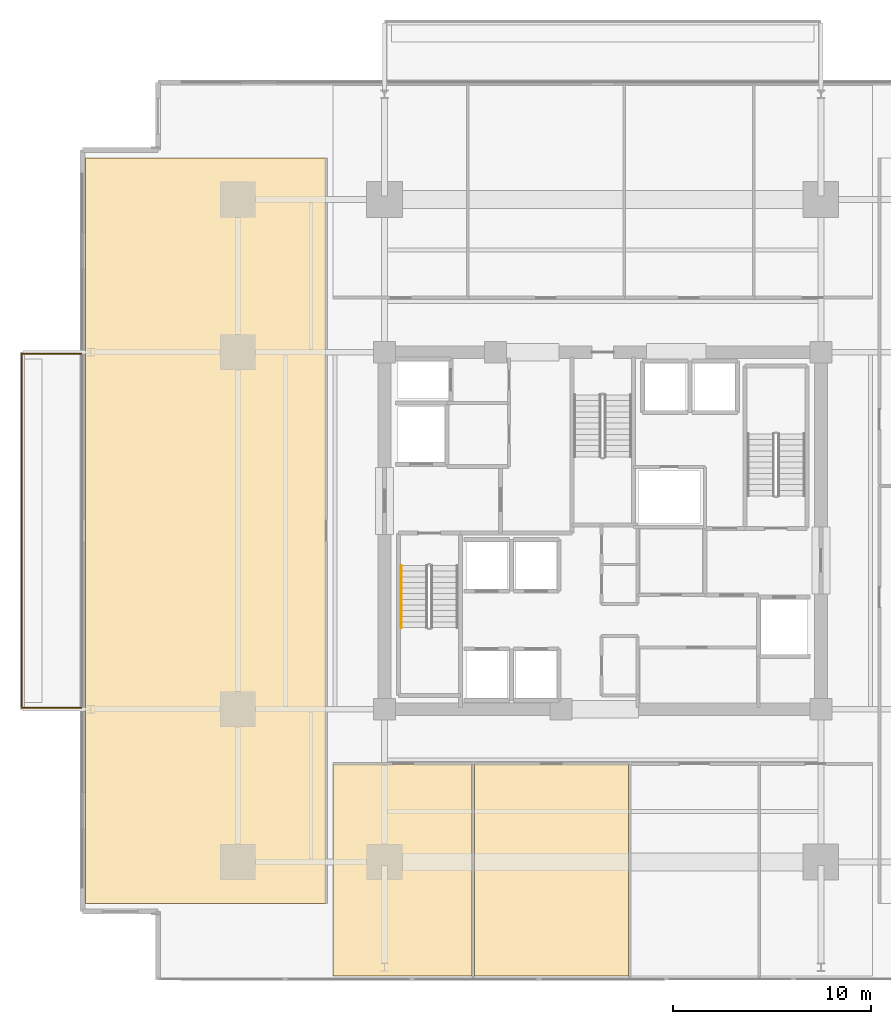
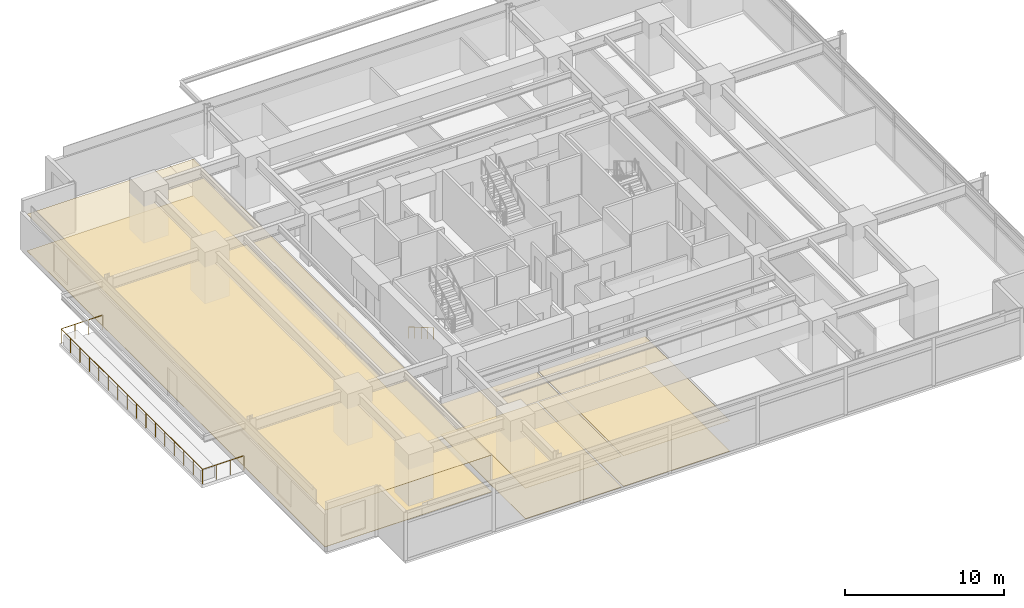
# One storey, part 19 of 22: 6 coverings, 2 railings.
"""IFC4 building model written with IfcOpenShell, lengths in metres."""

from ifc_helpers import new_model, si_unit, direction, frame, origin, origin_2d, place, context, subcontext, project, spatial, polyline, circle, outline, extrude, material, layer, layer_set, type_object, element, save


model = new_model("IFC4")

# Units and contexts
model_context = context("Model", 3, precision=1e-05, world=origin(), true_north=direction((0.0, 1.0)))
body_context = subcontext(model_context, "Body", "Model", "MODEL_VIEW")
ifc_project = project(units=[si_unit("LENGTHUNIT", "METRE"), si_unit("AREAUNIT", "SQUARE_METRE"), si_unit("VOLUMEUNIT", "CUBIC_METRE"), si_unit("PLANEANGLEUNIT", "RADIAN"), si_unit("MASSUNIT", "GRAM", prefix="KILO")], contexts=[model_context])

# Site, building, storey
site_placement = place(None, origin())
site = spatial("IfcSite", under=ifc_project, at=site_placement, CompositionType="ELEMENT")
building_placement = place(site_placement, origin())
building = spatial("IfcBuilding", under=site, at=building_placement, Name="Kovane Verandah Tower", CompositionType="ELEMENT")
storey_placement = place(building_placement, frame((0.0, 0.0, 79.60009765625)))
storey = spatial("IfcBuildingStorey", under=building, at=storey_placement, Name="L18", CompositionType="ELEMENT", Elevation=79.60009765625)

# Coverings
ifc_material_1 = material(Name="Perforated Acoustic Mineral-Fibre Ceiling Tile", Category="gypsum")
ifc_layer_1 = layer(ifc_material_1, 0.02490234375)
ifc_layer_set_1 = layer_set([ifc_layer_1], Name="Perforated Acoustic Mineral-Fibre Ceiling Tile")
covering_type_1 = type_object("IfcCoveringType", Name="CV-CEIL-25", PredefinedType="CEILING", material=ifc_layer_set_1)
covering_1_placement = place(storey_placement, frame((0.0, 0.0, 2.364990234375)))
element("IfcCovering", 1, at=covering_1_placement, inside=storey, type_object=covering_type_1, Name="L18 Open Plan Office S1 Acoustic Ceiling", PredefinedType="CEILING", context=body_context, shape_type="SweptSolid", body=[
    extrude(outline(polyline([(26.39990234375, 5.0498046875), (33.402099609375, 5.0498046875), (33.402099609375, 15.75), (26.39990234375, 15.75), (26.39990234375, 5.0498046875)])), origin(), (0.0, 0.0, 1.0), 0.02490234375),
])
covering_2_placement = place(storey_placement, frame((0.0, 0.0, 2.364990234375)))
element("IfcCovering", 2, at=covering_2_placement, inside=storey, type_object=covering_type_1, Name="L18 Executive Office S2 Acoustic Ceiling", PredefinedType="CEILING", context=body_context, shape_type="SweptSolid", body=[
    extrude(outline(polyline([(33.5419921875, 5.0498046875), (41.2900390625, 5.0498046875), (41.2900390625, 15.75), (33.5419921875, 15.75), (33.5419921875, 5.0498046875)])), origin(), (0.0, 0.0, 1.0), 0.02490234375),
])
covering_3_placement = place(storey_placement, frame((0.0, 0.0, 2.824951171875)))
element("IfcCovering", 3, at=covering_3_placement, inside=storey, type_object=covering_type_1, Name="L18 Focus Studio W1 Acoustic Ceiling", PredefinedType="CEILING", context=body_context, shape_type="SweptSolid", body=[
    extrude(outline(polyline([(13.92138671875, 8.699951171875), (26.050048828125, 8.699951171875), (26.050048828125, 46.300048828125), (13.92138671875, 46.300048828125), (13.92138671875, 8.699951171875)])), origin(), (0.0, 0.0, 1.0), 0.02490234375),
])
ifc_material_2 = material(Name="Polished Terrazzo and Raised-Access Carpet Tile Finish", Category="concrete")
ifc_layer_2 = layer(ifc_material_2, 0.030029296875)
ifc_layer_set_2 = layer_set([ifc_layer_2], Name="Polished Terrazzo and Raised-Access Carpet Tile Finish")
covering_type_2 = type_object("IfcCoveringType", Name="CV-FLOR-30", PredefinedType="FLOORING", material=ifc_layer_set_2)
covering_4_placement = place(storey_placement, origin())
element("IfcCovering", 4, at=covering_4_placement, inside=storey, type_object=covering_type_2, Name="L18 Open Plan Office S1 Floor Finish", PredefinedType="FLOORING", context=body_context, shape_type="SweptSolid", body=[
    extrude(outline(polyline([(26.39990234375, 5.0498046875), (33.402099609375, 5.0498046875), (33.402099609375, 15.75), (26.39990234375, 15.75), (26.39990234375, 5.0498046875)])), origin(), (0.0, 0.0, 1.0), 0.02978515625),
])
covering_5_placement = place(storey_placement, origin())
element("IfcCovering", 5, at=covering_5_placement, inside=storey, type_object=covering_type_2, Name="L18 Executive Office S2 Floor Finish", PredefinedType="FLOORING", context=body_context, shape_type="SweptSolid", body=[
    extrude(outline(polyline([(33.5419921875, 5.0498046875), (41.2900390625, 5.0498046875), (41.2900390625, 15.75), (33.5419921875, 15.75), (33.5419921875, 5.0498046875)])), origin(), (0.0, 0.0, 1.0), 0.02978515625),
])
covering_6_placement = place(storey_placement, origin())
element("IfcCovering", 6, at=covering_6_placement, inside=storey, type_object=covering_type_2, Name="L18 Focus Studio W1 Floor Finish", PredefinedType="FLOORING", context=body_context, shape_type="SweptSolid", body=[
    extrude(outline(polyline([(13.92138671875, 8.699951171875), (26.050048828125, 8.699951171875), (26.050048828125, 46.300048828125), (13.92138671875, 46.300048828125), (13.92138671875, 8.699951171875)])), origin(), (0.0, 0.0, 1.0), 0.02978515625),
])

# Railings
ifc_material_3 = material(Name="Laminated Glass and Pale-Champagne Stainless Balustrade", Category="glass")
railing_type_1 = type_object("IfcRailingType", Name="RL-BAL-1150", PredefinedType="BALUSTRADE", material=ifc_material_3)
railing_1_placement = place(storey_placement, frame((13.72119140625, 18.580078125, 0.0)))
element("IfcRailing", 7, at=railing_1_placement, inside=storey, type_object=railing_type_1, Name="L18 W Verandah Glass Balustrade", PredefinedType="BALUSTRADE", context=body_context, shape_type="SweptSolid", body=[
    extrude(circle(Radius=0.02392578125, at=origin_2d()), frame((0.0, 0.0, 1.1259765625), z_axis=(-1.0, 0.0, 0.0), x_axis=(0.0, -1.0, 0.0)), (0.0, 0.0, 1.0), 3.019775390625),
    extrude(circle(Radius=0.02392578125, at=origin_2d()), frame((-3.019775390625, 0.0, 1.1259765625), z_axis=(0.0, 1.0, 0.0), x_axis=(-1.0, 0.0, 0.0)), (0.0, 0.0, 1.0), 17.83984375),
    extrude(circle(Radius=0.02392578125, at=origin_2d()), frame((-3.019775390625, 17.83984375, 1.1259765625), z_axis=(1.0, 0.0, 0.0), x_axis=(0.0, 1.0, 0.0)), (0.0, 0.0, 1.0), 3.019775390625),
    extrude(circle(Radius=0.02099609375, at=origin_2d()), origin(), (0.0, 0.0, 1.0), 1.101806640625),
    extrude(circle(Radius=0.02099609375, at=origin_2d()), frame((-1.006591796875, 0.0, 0.0)), (0.0, 0.0, 1.0), 1.101806640625),
    extrude(circle(Radius=0.02099609375, at=origin_2d()), frame((-2.01318359375, 0.0, 0.0)), (0.0, 0.0, 1.0), 1.101806640625),
    extrude(circle(Radius=0.02099609375, at=origin_2d()), frame((-3.019775390625, 0.0, 0.0)), (0.0, 0.0, 1.0), 1.101806640625),
    extrude(circle(Radius=0.02099609375, at=origin_2d()), frame((-3.019775390625, 1.189208984375, 0.0)), (0.0, 0.0, 1.0), 1.101806640625),
    extrude(circle(Radius=0.02099609375, at=origin_2d()), frame((-3.019775390625, 2.378662109375, 0.0)), (0.0, 0.0, 1.0), 1.101806640625),
    extrude(circle(Radius=0.02099609375, at=origin_2d()), frame((-3.019775390625, 3.56787109375, 0.0)), (0.0, 0.0, 1.0), 1.101806640625),
    extrude(circle(Radius=0.02099609375, at=origin_2d()), frame((-3.019775390625, 4.75732421875, 0.0)), (0.0, 0.0, 1.0), 1.101806640625),
    extrude(circle(Radius=0.02099609375, at=origin_2d()), frame((-3.019775390625, 5.946533203125, 0.0)), (0.0, 0.0, 1.0), 1.101806640625),
    extrude(circle(Radius=0.02099609375, at=origin_2d()), frame((-3.019775390625, 7.135986328125, 0.0)), (0.0, 0.0, 1.0), 1.101806640625),
    extrude(circle(Radius=0.02099609375, at=origin_2d()), frame((-3.019775390625, 8.3251953125, 0.0)), (0.0, 0.0, 1.0), 1.101806640625),
    extrude(circle(Radius=0.02099609375, at=origin_2d()), frame((-3.019775390625, 9.5146484375, 0.0)), (0.0, 0.0, 1.0), 1.101806640625),
    extrude(circle(Radius=0.02099609375, at=origin_2d()), frame((-3.019775390625, 10.703857421875, 0.0)), (0.0, 0.0, 1.0), 1.101806640625),
    extrude(circle(Radius=0.02099609375, at=origin_2d()), frame((-3.019775390625, 11.893310546875, 0.0)), (0.0, 0.0, 1.0), 1.101806640625),
    extrude(circle(Radius=0.02099609375, at=origin_2d()), frame((-3.019775390625, 13.08251953125, 0.0)), (0.0, 0.0, 1.0), 1.101806640625),
    extrude(circle(Radius=0.02099609375, at=origin_2d()), frame((-3.019775390625, 14.27197265625, 0.0)), (0.0, 0.0, 1.0), 1.101806640625),
    extrude(circle(Radius=0.02099609375, at=origin_2d()), frame((-3.019775390625, 15.461181640625, 0.0)), (0.0, 0.0, 1.0), 1.101806640625),
    extrude(circle(Radius=0.02099609375, at=origin_2d()), frame((-3.019775390625, 16.650634765625, 0.0)), (0.0, 0.0, 1.0), 1.101806640625),
    extrude(circle(Radius=0.02099609375, at=origin_2d()), frame((-3.019775390625, 17.83984375, 0.0)), (0.0, 0.0, 1.0), 1.101806640625),
    extrude(circle(Radius=0.02099609375, at=origin_2d()), frame((-2.01318359375, 17.83984375, 0.0)), (0.0, 0.0, 1.0), 1.101806640625),
    extrude(circle(Radius=0.02099609375, at=origin_2d()), frame((-1.006591796875, 17.83984375, 0.0)), (0.0, 0.0, 1.0), 1.101806640625),
    extrude(circle(Radius=0.02099609375, at=origin_2d()), frame((0.0, 17.83984375, 0.0)), (0.0, 0.0, 1.0), 1.101806640625),
])
ifc_material_4 = material(Name="Brushed Stainless Steel Handrail", Category="steel")
railing_type_2 = type_object("IfcRailingType", Name="RL-HAND-920", PredefinedType="HANDRAIL", material=ifc_material_4)
railing_2_placement = place(storey_placement, frame((29.85009765625, 25.75, 0.16650390625)))
element("IfcRailing", 8, at=railing_2_placement, inside=storey, type_object=railing_type_2, Name="L18 ST-01 stair handrail 1", PredefinedType="HANDRAIL", context=body_context, shape_type="SweptSolid", body=[
    extrude(circle(Radius=0.02392578125, at=origin_2d()), frame((0.0, 0.0, 0.8759765625), z_axis=(0.0, -0.863210265497, 0.504844567704), x_axis=(1.0, 0.0, 0.0)), (0.0, 0.0, 1.0), 3.6318359375),
    extrude(circle(Radius=0.02099609375, at=origin_2d()), origin(), (0.0, 0.0, 1.0), 0.851806640625),
    extrude(circle(Radius=0.02099609375, at=origin_2d()), frame((0.0, -0.78369140625, 0.45849609375)), (0.0, 0.0, 1.0), 0.851806640625),
    extrude(circle(Radius=0.02099609375, at=origin_2d()), frame((0.0, -1.5673828125, 0.916748046875)), (0.0, 0.0, 1.0), 0.851806640625),
    extrude(circle(Radius=0.02099609375, at=origin_2d()), frame((0.0, -2.351318359375, 1.375)), (0.0, 0.0, 1.0), 0.851806640625),
    extrude(circle(Radius=0.02099609375, at=origin_2d()), frame((0.0, -3.135009765625, 1.83349609375)), (0.0, 0.0, 1.0), 0.851806640625),
])

save(model, "model.ifc")
